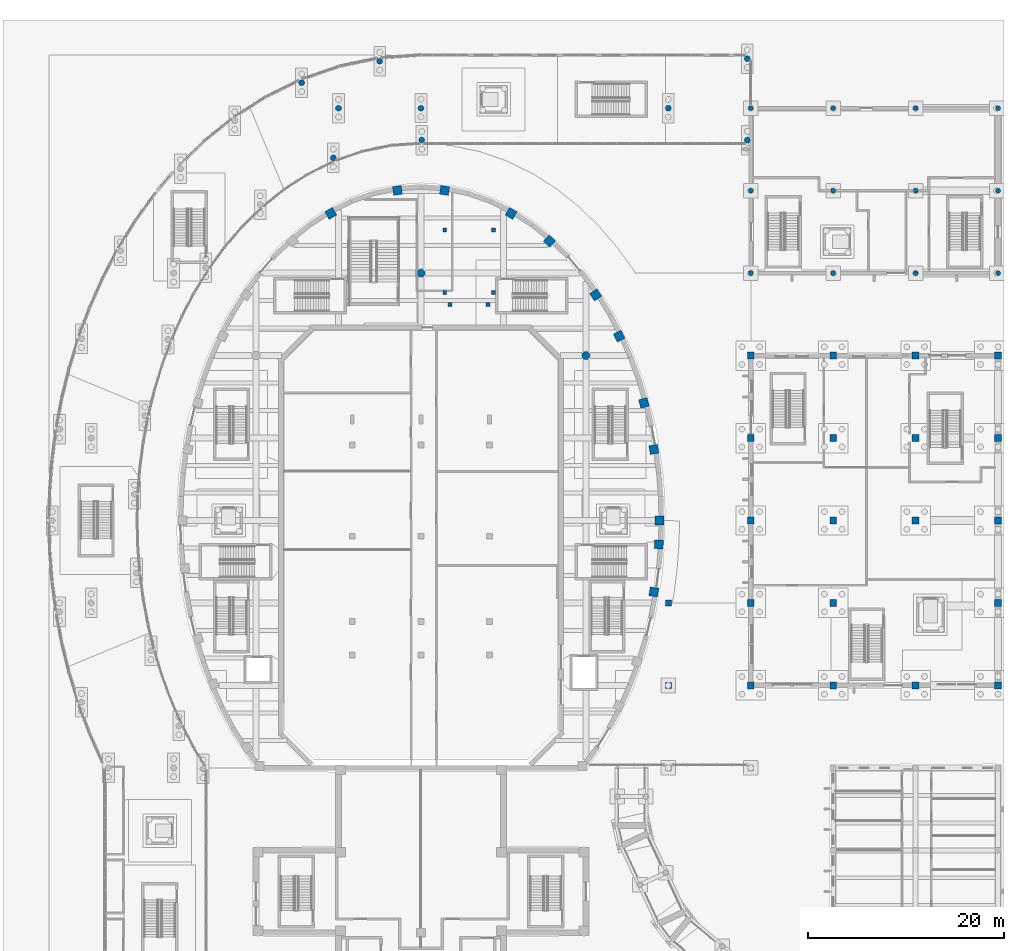
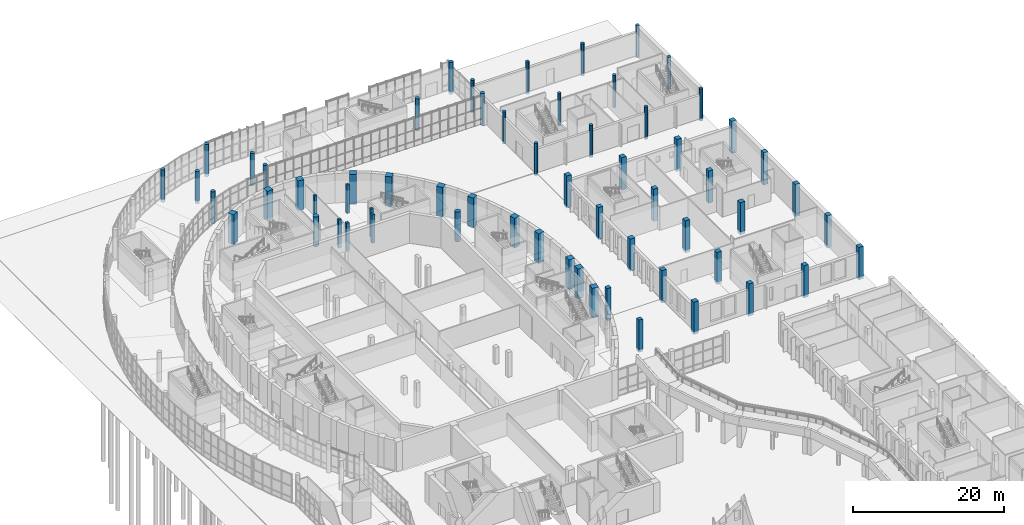
# One storey, part 5 of 110: 62 columns.
"""IFC4 building model written with IfcOpenShell, lengths in metres."""

import ifcopenshell
import ifcopenshell.guid

model = None  # the IFC model being written
_history = None  # IfcOwnerHistory: only IFC2X3 demands one
_inside = {}  # id of a spatial element -> (the spatial element, [elements in it])
_under = {}  # id of a project, library or spatial element -> (it, [spatial elements below it])
_declared = {}  # id of a project -> (the project, [libraries it declares])
_typed = {}  # id of a type object -> (the type object, [elements of that type])
_made_of = {}  # id of a material, layer set ... -> (it, [elements and type objects made of it])


def new_model(schema):
    """Start an empty IFC model of exactly this schema.

    Asked for "IFC4X3", IfcOpenShell would pick the latest addendum, in which some entities
    have other attributes; the version numbers below select the first issue.
    IFC2X3 requires an IfcOwnerHistory on every rooted entity: one is made here for all.
    """
    global model, _history
    if schema == "IFC4X3":
        model = ifcopenshell.file(schema_version=(4, 3, 0, 0))
    else:
        model = ifcopenshell.file(schema=schema)
    _inside.clear()
    _under.clear()
    _declared.clear()
    _typed.clear()
    _made_of.clear()
    _history = None
    if model.schema == "IFC2X3":
        org = make("IfcOrganization", Name="unknown")
        user = make(
            "IfcPersonAndOrganization",
            ThePerson=make("IfcPerson", FamilyName="unknown"),
            TheOrganization=org,
        )
        app = make(
            "IfcApplication",
            ApplicationDeveloper=org,
            Version="unknown",
            ApplicationFullName="unknown",
            ApplicationIdentifier="unknown",
        )
        _history = make(
            "IfcOwnerHistory",
            OwningUser=user,
            OwningApplication=app,
            ChangeAction="ADDED",
            CreationDate=0,
        )
    return model


def make(cls, **values):
    """One entity of the class cls with the attributes given. An attribute that is None is left unset."""
    return model.create_entity(
        cls, **{name: value for name, value in values.items() if value is not None}
    )


def rooted(cls, **values):
    """An entity with a GlobalId (a new one), such as an element, a storey or a relation."""
    return make(cls, GlobalId=ifcopenshell.guid.new(), OwnerHistory=_history, **values)


def si_unit(unit_type, name, prefix=None):
    """IfcSIUnit, for example si_unit("LENGTHUNIT", "METRE", prefix="MILLI")."""
    return make("IfcSIUnit", UnitType=unit_type, Prefix=prefix, Name=name)


def assignment(units):
    """IfcUnitAssignment: the units of a project."""
    return None if units is None else make("IfcUnitAssignment", Units=units)


def point(xyz):
    """IfcCartesianPoint."""
    return None if xyz is None else make("IfcCartesianPoint", Coordinates=xyz)


def direction(xyz):
    """IfcDirection."""
    return None if xyz is None else make("IfcDirection", DirectionRatios=xyz)


def frame(location, z_axis=None, x_axis=None):
    """IfcAxis2Placement3D, a coordinate frame: its origin and axes. An axis left out is left unset."""
    return make(
        "IfcAxis2Placement3D",
        Location=point(location),
        Axis=direction(z_axis),
        RefDirection=direction(x_axis),
    )


def frame_2d(location, x_axis=None):
    """IfcAxis2Placement2D, a coordinate frame in the plane: its origin and x axis."""
    return make(
        "IfcAxis2Placement2D", Location=point(location), RefDirection=direction(x_axis)
    )


def origin():
    """The frame at (0, 0, 0) with its axes left unset."""
    return frame((0.0, 0.0, 0.0))


def origin_2d():
    """The frame at (0, 0) in the plane with its x axis left unset."""
    return frame_2d((0.0, 0.0))


def place(relative_to, where):
    """IfcLocalPlacement: puts the frame where relative to a parent placement (None: the world)."""
    return make(
        "IfcLocalPlacement", PlacementRelTo=relative_to, RelativePlacement=where
    )


def context(
    kind, dimensions, precision=None, world=None, true_north=None, identifier=None
):
    """IfcGeometricRepresentationContext, for example the 3D "Model" context."""
    return make(
        "IfcGeometricRepresentationContext",
        ContextIdentifier=identifier,
        ContextType=kind,
        CoordinateSpaceDimension=dimensions,
        Precision=precision,
        WorldCoordinateSystem=world,
        TrueNorth=true_north,
    )


def subcontext(parent, identifier, kind, view, scale=None):
    """IfcGeometricRepresentationSubContext, for example "Body" below "Model"."""
    return make(
        "IfcGeometricRepresentationSubContext",
        ContextIdentifier=identifier,
        ContextType=kind,
        ParentContext=parent,
        TargetScale=scale,
        TargetView=view,
    )


def project(units=None, contexts=None):
    """IfcProject with its units and contexts."""
    return rooted(
        "IfcProject",
        Name="project",
        RepresentationContexts=contexts,
        UnitsInContext=assignment(units),
    )


def spatial(cls, under=None, at=None, **own):
    """A site, building, storey or space (cls), placed at a placement, below another one or the project."""
    s = rooted(cls, ObjectPlacement=at, **own)
    if under is not None:
        _under.setdefault(under.id(), (under, []))[1].append(s)
    return s


def profile(cls, at=None, kind="AREA", **sizes):
    """A parametric profile (cls). Its sizes go by their IFC names, for example OverallWidth=200.0."""
    return make(cls, ProfileType=kind, Position=at, **sizes)


def rectangle(**sizes):
    """IfcRectangleProfileDef."""
    return profile("IfcRectangleProfileDef", **sizes)


def circle(**sizes):
    """IfcCircleProfileDef."""
    return profile("IfcCircleProfileDef", **sizes)


def extrude(swept, where, along, depth):
    """IfcExtrudedAreaSolid: the profile swept, set in the frame where, extruded along a direction by depth."""
    return make(
        "IfcExtrudedAreaSolid",
        SweptArea=swept,
        Position=where,
        ExtrudedDirection=direction(along),
        Depth=depth,
    )


def shape(context_of_items, identifier, shape_type, items):
    """IfcShapeRepresentation: the items that make up one representation, for example the "Body"."""
    return make(
        "IfcShapeRepresentation",
        ContextOfItems=context_of_items,
        RepresentationIdentifier=identifier,
        RepresentationType=shape_type,
        Items=items,
    )


def material(Name=None, Category=None):
    """IfcMaterial."""
    return make("IfcMaterial", Name=Name, Category=Category)


def material_profile(
    of_material, cross_section, Name=None, Category=None, Priority=None
):
    """IfcMaterialProfile: a cross section and its material."""
    return make(
        "IfcMaterialProfile",
        Name=Name,
        Material=of_material,
        Profile=cross_section,
        Priority=Priority,
        Category=Category,
    )


def profile_set(profiles, Name=None, composite=None):
    """IfcMaterialProfileSet."""
    return make(
        "IfcMaterialProfileSet",
        Name=Name,
        MaterialProfiles=profiles,
        CompositeProfile=composite,
    )


def made_of(thing, what):
    """Note that an element or type object is made of a material, layer set ...; save() writes the relation."""
    if what is not None:
        _made_of.setdefault(what.id(), (what, []))[1].append(thing)
    return thing


def type_object(cls, material=None, **own):
    """A type object (cls), such as IfcWallType, which elements share."""
    return made_of(rooted(cls, **own), material)


def element(
    cls,
    number,
    at=None,
    inside=None,
    cuts=None,
    type_object=None,
    material=None,
    context=None,
    identifier="Body",
    shape_type=None,
    held_by="IfcProductDefinitionShape",
    body=None,
    shapes=None,
    **own,
):
    """One element of the class cls, such as IfcWall. Its Tag is "e" and its number.

    at: its placement. inside: the storey or other place that contains it. cuts: it is an
    opening in that element (IfcRelVoidsElement). A single representation is given by context,
    identifier, shape_type and body (its items); several are given by shapes. held_by: the class
    of the entity that holds the representations. save() writes the other relations.
    """
    e = rooted(cls, Tag="e%d" % number, ObjectPlacement=at, **own)
    if body is not None:
        shapes = [shape(context, identifier, shape_type, body)]
    if shapes is not None:
        e.Representation = make(held_by, Representations=shapes)
    if inside is not None:
        _inside.setdefault(inside.id(), (inside, []))[1].append(e)
    if cuts is not None:
        rooted(
            "IfcRelVoidsElement", RelatingBuildingElement=cuts, RelatedOpeningElement=e
        )
    if type_object is not None:
        _typed.setdefault(type_object.id(), (type_object, []))[1].append(e)
    return made_of(e, material)


def aggregate(whole, parts):
    """IfcRelAggregates: a whole, such as a stair, and the parts it consists of."""
    return rooted("IfcRelAggregates", RelatingObject=whole, RelatedObjects=parts)


def save(model, path):
    """Write the relations noted so far, then the file.

    IfcRelAggregates (storeys below a building ...), IfcRelContainedInSpatialStructure (elements
    in a storey), IfcRelDefinesByType, IfcRelAssociatesMaterial and IfcRelDeclares: one each for
    every whole, place, type object, material and project.
    """
    for whole, parts in _under.values():
        aggregate(whole, parts)
    for where, things in _inside.values():
        rooted(
            "IfcRelContainedInSpatialStructure",
            RelatedElements=things,
            RelatingStructure=where,
        )
    for kind, things in _typed.values():
        rooted("IfcRelDefinesByType", RelatedObjects=things, RelatingType=kind)
    for what, things in _made_of.values():
        rooted("IfcRelAssociatesMaterial", RelatedObjects=things, RelatingMaterial=what)
    for by, libraries in _declared.values():
        rooted("IfcRelDeclares", RelatingContext=by, RelatedDefinitions=libraries)
    model.write(path)


model = new_model("IFC4")

# Units and contexts
model_context = context("Model", 3, precision=1e-05, world=origin(), true_north=direction((0.0, 1.0)))
body_context = subcontext(model_context, "Body", "Model", "MODEL_VIEW")
ifc_project = project(units=[si_unit("LENGTHUNIT", "METRE"), si_unit("AREAUNIT", "SQUARE_METRE"), si_unit("VOLUMEUNIT", "CUBIC_METRE"), si_unit("PLANEANGLEUNIT", "RADIAN"), si_unit("MASSUNIT", "GRAM", prefix="KILO")], contexts=[model_context])

# Site, building, storey
site_placement = place(None, origin())
site = spatial("IfcSite", under=ifc_project, at=site_placement, CompositionType="ELEMENT")
building_placement = place(site_placement, origin())
building = spatial("IfcBuilding", under=site, at=building_placement, Name="Larchfold Concert Hall", CompositionType="ELEMENT")
storey_placement = place(building_placement, origin())
storey = spatial("IfcBuildingStorey", under=building, at=storey_placement, Name="L00", CompositionType="ELEMENT", Elevation=0.0)

# Columns
ifc_material_1 = material(Name="Concrete C35/45", Category="concrete")
ifc_material_profile_1 = material_profile(ifc_material_1, rectangle(XDim=0.39990234375, YDim=0.39990234375, at=origin_2d()))
ifc_profile_set_1 = profile_set([ifc_material_profile_1], Name="Concrete C35/45")
column_type_1 = type_object("IfcColumnType", Name="Column RC 400x400", PredefinedType="COLUMN", material=ifc_profile_set_1)
for number, where, z_axis, x_axis, name in (
    (1, (45.02490234375, 107.8125, 0.0), (0.0, 0.0, 1.0), (1.0, 0.0, 0.0), "Column C0161"),
    (2, (45.02490234375, 114.1875, 0.0), (0.0, 0.0, 1.0), (1.0, 0.0, 0.0), "Column C0162"),
    (3, (49.97509765625, 107.8125, 0.0), (0.0, 0.0, 1.0), (1.0, 0.0, 0.0), "Column C0163"),
    (4, (49.97509765625, 114.1875, 0.0), (0.0, 0.0, 1.0), (1.0, 0.0, 0.0), "Column C0164"),
    (5, (45.5498046875, 106.60009765625, 0.0), (0.0, 0.0, 1.0), (1.0, 0.0, 0.0), "Column C0165"),
    (6, (49.4501953125, 106.60009765625, 0.0), (0.0, 0.0, 1.0), (1.0, 0.0, 0.0), "Column C0166"),
):
    element("IfcColumn", number, at=place(storey_placement, frame(where, z_axis=z_axis, x_axis=x_axis)), inside=storey, type_object=column_type_1, Name=name, PredefinedType="COLUMN", context=body_context, shape_type="SweptSolid", body=[
        extrude(rectangle(XDim=0.39990234375, YDim=0.39990234375, at=origin_2d()), origin(), (0.0, 0.0, 1.0), 4.60009765625),
    ])
ifc_material_2 = material(Name="Concrete C35/45", Category="concrete")
ifc_material_profile_2 = material_profile(ifc_material_2, rectangle(XDim=0.60009765625, YDim=0.60009765625, at=origin_2d()))
ifc_profile_set_2 = profile_set([ifc_material_profile_2], Name="Concrete C35/45")
column_type_2 = type_object("IfcColumnType", Name="Column RC 600x600", PredefinedType="COLUMN", material=ifc_profile_set_2)
for number, where, z_axis, x_axis, name in (
    (7, (67.800048828125, 67.800048828125, -0.39990234375), (0.0, 0.0, 1.0), (1.0, 0.0, 0.0), "Column C0117"),
    (8, (67.800048828125, 76.199951171875, -0.39990234375), (0.0, 0.0, 1.0), (1.0, 0.0, 0.0), "Column C0118"),
):
    element("IfcColumn", number, at=place(storey_placement, frame(where, z_axis=z_axis, x_axis=x_axis)), inside=storey, type_object=column_type_2, Name=name, PredefinedType="COLUMN", context=body_context, shape_type="SweptSolid", body=[
        extrude(rectangle(XDim=0.60009765625, YDim=0.60009765625, at=origin_2d()), origin(), (0.0, 0.0, 1.0), 5.199951171875),
    ])
ifc_material_3 = material(Name="Concrete C35/45", Category="concrete")
ifc_material_profile_3 = material_profile(ifc_material_3, rectangle(XDim=0.699951171875, YDim=0.699951171875, at=origin_2d()))
ifc_profile_set_3 = profile_set([ifc_material_profile_3], Name="Concrete C35/45")
column_type_3 = type_object("IfcColumnType", Name="Column RC 700x700", PredefinedType="COLUMN", material=ifc_profile_set_3)
for number, where, z_axis, x_axis, name in (
    (9, (76.199951171875, 67.800048828125, -0.39990234375), (0.0, 0.0, 1.0), (1.0, 0.0, 0.0), "Column C0056"),
    (10, (76.199951171875, 76.199951171875, -0.39990234375), (0.0, 0.0, 1.0), (1.0, 0.0, 0.0), "Column C0057"),
    (11, (76.199951171875, 84.60009765625, -0.39990234375), (0.0, 0.0, 1.0), (1.0, 0.0, 0.0), "Column C0058"),
    (12, (76.199951171875, 93.0, -0.39990234375), (0.0, 0.0, 1.0), (1.0, 0.0, 0.0), "Column C0059"),
    (13, (76.199951171875, 101.39990234375, -0.39990234375), (0.0, 0.0, 1.0), (1.0, 0.0, 0.0), "Column C0060"),
    (14, (84.60009765625, 67.800048828125, -0.39990234375), (0.0, 0.0, 1.0), (1.0, 0.0, 0.0), "Column C0061"),
    (15, (84.60009765625, 76.199951171875, -0.39990234375), (0.0, 0.0, 1.0), (1.0, 0.0, 0.0), "Column C0062"),
    (16, (84.60009765625, 84.60009765625, -0.39990234375), (0.0, 0.0, 1.0), (1.0, 0.0, 0.0), "Column C0063"),
    (17, (84.60009765625, 93.0, -0.39990234375), (0.0, 0.0, 1.0), (1.0, 0.0, 0.0), "Column C0064"),
    (18, (84.60009765625, 101.39990234375, -0.39990234375), (0.0, 0.0, 1.0), (1.0, 0.0, 0.0), "Column C0065"),
    (19, (93.0, 67.800048828125, -0.39990234375), (0.0, 0.0, 1.0), (1.0, 0.0, 0.0), "Column C0066"),
    (20, (93.0, 84.60009765625, -0.39990234375), (0.0, 0.0, 1.0), (1.0, 0.0, 0.0), "Column C0067"),
    (21, (93.0, 93.0, -0.39990234375), (0.0, 0.0, 1.0), (1.0, 0.0, 0.0), "Column C0068"),
    (22, (93.0, 101.39990234375, -0.39990234375), (0.0, 0.0, 1.0), (1.0, 0.0, 0.0), "Column C0069"),
    (23, (101.39990234375, 67.800048828125, -0.39990234375), (0.0, 0.0, 1.0), (1.0, 0.0, 0.0), "Column C0070"),
    (24, (101.39990234375, 76.199951171875, -0.39990234375), (0.0, 0.0, 1.0), (1.0, 0.0, 0.0), "Column C0071"),
    (25, (101.39990234375, 84.60009765625, -0.39990234375), (0.0, 0.0, 1.0), (1.0, 0.0, 0.0), "Column C0072"),
    (26, (101.39990234375, 93.0, -0.39990234375), (0.0, 0.0, 1.0), (1.0, 0.0, 0.0), "Column C0073"),
    (27, (101.39990234375, 101.39990234375, -0.39990234375), (0.0, 0.0, 1.0), (1.0, 0.0, 0.0), "Column C0074"),
):
    element("IfcColumn", number, at=place(storey_placement, frame(where, z_axis=z_axis, x_axis=x_axis)), inside=storey, type_object=column_type_3, Name=name, PredefinedType="COLUMN", context=body_context, shape_type="SweptSolid", body=[
        extrude(rectangle(XDim=0.699951171875, YDim=0.699951171875, at=origin_2d()), origin(), (0.0, 0.0, 1.0), 5.199951171875),
    ])
ifc_material_4 = material(Name="Concrete C35/45", Category="concrete")
ifc_material_profile_4 = material_profile(ifc_material_4, rectangle(XDim=0.89990234375, YDim=0.89990234375, at=origin_2d()))
ifc_profile_set_4 = profile_set([ifc_material_profile_4], Name="Concrete C35/45")
column_type_4 = type_object("IfcColumnType", Name="Column RC 900x900", PredefinedType="COLUMN", material=ifc_profile_set_4)
for number, where, z_axis, x_axis, name in (
    (28, (66.900146484375, 84.60009765625, 0.0), (0.0, 0.0, 1.0), (0.999999999998, 2.069699e-06, 0.0), "Column C9001"),
    (29, (66.33544921875, 91.841796875, 0.0), (0.0, 0.0, 1.0), (0.987778077668, 0.155866831876, 0.0), "Column C9002"),
    (30, (65.322021484375, 96.578857421875, 0.0), (0.0, 0.0, 1.0), (0.964788079418, 0.263028442973, 0.0), "Column C9003"),
    (31, (62.800537109375, 103.382568359375, 0.0), (0.0, 0.0, 1.0), (0.901263073046, 0.433272285247, 0.0), "Column C9004"),
    (32, (60.411865234375, 107.587646484375, 0.0), (0.0, 0.0, 1.0), (0.831867887413, 0.55497370919, 0.0), "Column C9005"),
    (33, (55.694580078125, 113.069580078125, 0.0), (0.0, 0.0, 1.0), (0.664881649498, 0.746948721239, 0.0), "Column C9006"),
    (34, (51.788330078125, 115.888916015625, 0.0), (0.0, 0.0, 1.0), (0.494204498977, 0.869345681068, 0.0), "Column C9007"),
    (35, (44.999267578125, 118.23486328125, 0.0), (0.0, 0.0, 1.0), (0.13683054479, 0.990594468999, 0.0), "Column C9008"),
    (36, (40.200927734375, 118.23486328125, 0.0), (0.0, 0.0, 1.0), (0.990595961709, 0.136819737776, 0.0), "Column C9009"),
    (37, (33.411865234375, 115.888916015625, 0.0), (0.0, 0.0, 1.0), (0.869350146356, 0.49419664409, 0.0), "Column C9010"),
    (38, (66.328369140625, 77.3134765625, 0.0), (0.0, 0.0, 1.0), (0.156847117791, 0.987622894449, 0.0), "Column C9025"),
    (39, (66.8369140625, 82.162353515625, 0.0), (0.0, 0.0, 1.0), (0.051949743743, 0.998649700408, 0.0), "Column C9026"),
):
    element("IfcColumn", number, at=place(storey_placement, frame(where, z_axis=z_axis, x_axis=x_axis)), inside=storey, type_object=column_type_4, Name=name, PredefinedType="COLUMN", context=body_context, shape_type="SweptSolid", body=[
        extrude(rectangle(XDim=0.89990234375, YDim=0.89990234375, at=origin_2d()), origin(), (0.0, 0.0, 1.0), 4.800048828125),
    ])
ifc_material_5 = material(Name="Concrete C35/45", Category="concrete")
ifc_material_profile_5 = material_profile(ifc_material_5, circle(Radius=0.25, at=origin_2d()))
ifc_profile_set_5 = profile_set([ifc_material_profile_5], Name="Concrete C35/45")
column_type_5 = type_object("IfcColumnType", Name="Column RC D500", PredefinedType="COLUMN", material=ifc_profile_set_5)
for number, where, z_axis, x_axis, name in (
    (40, (76.199951171875, 109.800048828125, -0.39990234375), (0.0, 0.0, 1.0), (1.0, 0.0, 0.0), "Column RC0075"),
    (41, (76.199951171875, 118.199951171875, -0.39990234375), (0.0, 0.0, 1.0), (1.0, 0.0, 0.0), "Column RC0076"),
    (42, (76.199951171875, 126.60009765625, -0.39990234375), (0.0, 0.0, 1.0), (1.0, 0.0, 0.0), "Column RC0077"),
    (43, (84.60009765625, 109.800048828125, -0.39990234375), (0.0, 0.0, 1.0), (1.0, 0.0, 0.0), "Column RC0078"),
    (44, (84.60009765625, 118.199951171875, -0.39990234375), (0.0, 0.0, 1.0), (1.0, 0.0, 0.0), "Column RC0079"),
    (45, (84.60009765625, 126.60009765625, -0.39990234375), (0.0, 0.0, 1.0), (1.0, 0.0, 0.0), "Column RC0080"),
    (46, (93.0, 109.800048828125, -0.39990234375), (0.0, 0.0, 1.0), (1.0, 0.0, 0.0), "Column RC0081"),
    (47, (93.0, 118.199951171875, -0.39990234375), (0.0, 0.0, 1.0), (1.0, 0.0, 0.0), "Column RC0082"),
    (48, (93.0, 126.60009765625, -0.39990234375), (0.0, 0.0, 1.0), (1.0, 0.0, 0.0), "Column RC0083"),
    (49, (101.39990234375, 109.800048828125, -0.39990234375), (0.0, 0.0, 1.0), (1.0, 0.0, 0.0), "Column RC0084"),
    (50, (101.39990234375, 118.199951171875, -0.39990234375), (0.0, 0.0, 1.0), (1.0, 0.0, 0.0), "Column RC0085"),
    (51, (101.39990234375, 126.60009765625, -0.39990234375), (0.0, 0.0, 1.0), (1.0, 0.0, 0.0), "Column RC0086"),
):
    element("IfcColumn", number, at=place(storey_placement, frame(where, z_axis=z_axis, x_axis=x_axis)), inside=storey, type_object=column_type_5, Name=name, PredefinedType="COLUMN", context=body_context, shape_type="SweptSolid", body=[
        extrude(circle(Radius=0.25, at=origin_2d()), origin(), (0.0, 0.0, 1.0), 5.199951171875),
    ])
ifc_material_6 = material(Name="Concrete C35/45", Category="concrete")
ifc_material_profile_6 = material_profile(ifc_material_6, circle(Radius=0.300048828125, at=origin_2d()))
ifc_profile_set_6 = profile_set([ifc_material_profile_6], Name="Concrete C35/45")
column_type_6 = type_object("IfcColumnType", Name="Column RC D600", PredefinedType="COLUMN", material=ifc_profile_set_6)
for number, where, z_axis, x_axis, name in (
    (52, (30.443115234375, 129.197998046875, -0.39990234375), (0.0, 0.0, 1.0), (1.0, 0.0, 0.0), "Column RC0140"),
    (53, (38.39208984375, 131.39111328125, -0.39990234375), (0.0, 0.0, 1.0), (1.0, 0.0, 0.0), "Column RC0141"),
    (54, (75.85009765625, 131.64990234375, -0.39990234375), (0.0, 0.0, 1.0), (1.0, 0.0, 0.0), "Column RC0142"),
    (55, (75.85009765625, 123.35009765625, -0.39990234375), (0.0, 0.0, 1.0), (1.0, 0.0, 0.0), "Column RC0143"),
    (56, (42.68408203125, 123.35009765625, -0.39990234375), (0.0, 0.0, 1.0), (1.0, 0.0, 0.0), "Column RC0144"),
    (57, (33.676025390625, 121.534912109375, -0.39990234375), (0.0, 0.0, 1.0), (1.0, 0.0, 0.0), "Column RC0145"),
    (58, (34.199951171875, 126.60009765625, -0.39990234375), (0.0, 0.0, 1.0), (1.0, 0.0, 0.0), "Column RC0158"),
    (59, (42.60009765625, 126.60009765625, -0.39990234375), (0.0, 0.0, 1.0), (1.0, 0.0, 0.0), "Column RC0159"),
    (60, (67.800048828125, 126.60009765625, -0.39990234375), (0.0, 0.0, 1.0), (1.0, 0.0, 0.0), "Column RC0160"),
):
    element("IfcColumn", number, at=place(storey_placement, frame(where, z_axis=z_axis, x_axis=x_axis)), inside=storey, type_object=column_type_6, Name=name, PredefinedType="COLUMN", context=body_context, shape_type="SweptSolid", body=[
        extrude(circle(Radius=0.300048828125, at=origin_2d()), origin(), (0.0, 0.0, 1.0), 5.199951171875),
    ])
ifc_material_7 = material(Name="Concrete C35/45", Category="concrete")
ifc_material_profile_7 = material_profile(ifc_material_7, circle(Radius=0.39990234375, at=origin_2d()))
ifc_profile_set_7 = profile_set([ifc_material_profile_7], Name="Concrete C35/45")
column_type_7 = type_object("IfcColumnType", Name="Column RC D800", PredefinedType="COLUMN", material=ifc_profile_set_7)
for number, where, z_axis, x_axis, name in (
    (61, (42.60009765625, 109.800048828125, 0.0), (0.0, 0.0, 1.0), (1.0, 0.0, 0.0), "Column RC2698"),
    (62, (59.39990234375, 101.39990234375, 0.0), (0.0, 0.0, 1.0), (1.0, 0.0, 0.0), "Column RC9414"),
):
    element("IfcColumn", number, at=place(storey_placement, frame(where, z_axis=z_axis, x_axis=x_axis)), inside=storey, type_object=column_type_7, Name=name, PredefinedType="COLUMN", context=body_context, shape_type="SweptSolid", body=[
        extrude(circle(Radius=0.39990234375, at=origin_2d()), origin(), (0.0, 0.0, 1.0), 4.800048828125),
    ])

save(model, "model.ifc")
